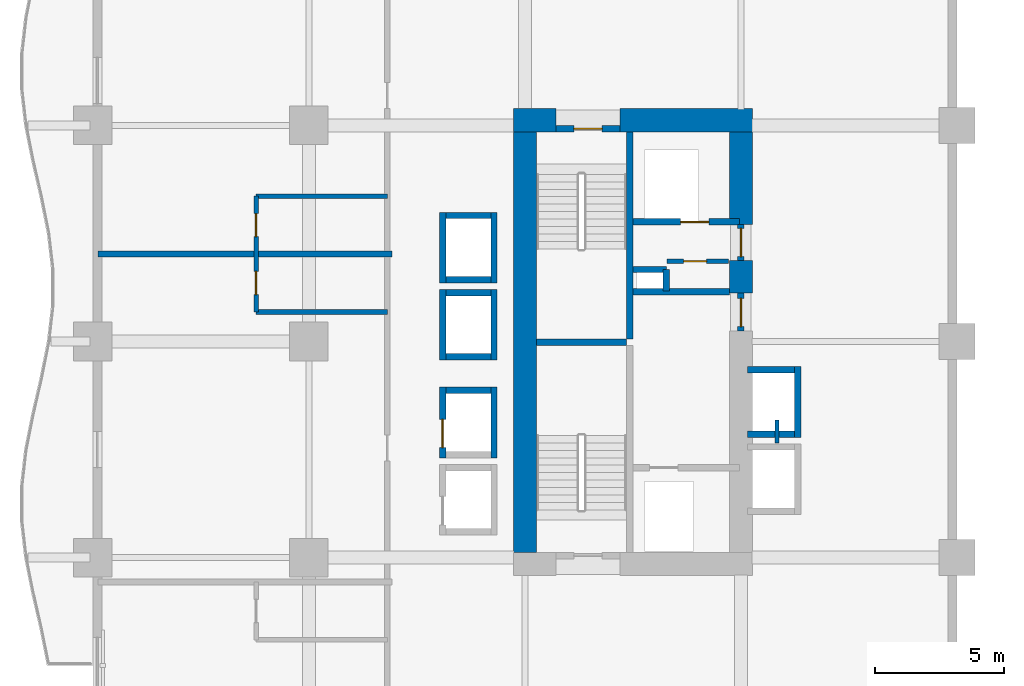
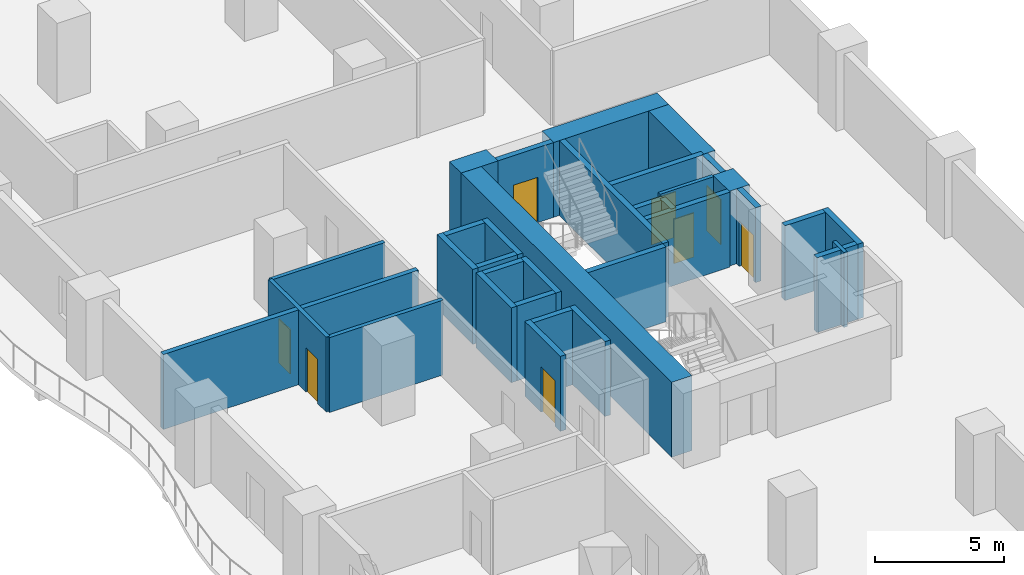
# One storey, part 10 of 20: 34 walls, 8 doors, 8 openings.
"""IFC4 building model written with IfcOpenShell, lengths in metres."""

from ifc_helpers import new_model, si_unit, direction, frame, frame_2d, origin, place, context, subcontext, project, spatial, rectangle, extrude, material, layer, layer_set, type_object, element, fill, save


model = new_model("IFC4")

# Units and contexts
model_context = context("Model", 3, precision=1e-05, world=origin(), true_north=direction((0.0, 1.0)))
body_context = subcontext(model_context, "Body", "Model", "MODEL_VIEW")
ifc_project = project(units=[si_unit("LENGTHUNIT", "METRE"), si_unit("AREAUNIT", "SQUARE_METRE"), si_unit("VOLUMEUNIT", "CUBIC_METRE"), si_unit("PLANEANGLEUNIT", "RADIAN"), si_unit("MASSUNIT", "GRAM", prefix="KILO")], contexts=[model_context])

# Site, building, storey
site_placement = place(None, origin())
site = spatial("IfcSite", under=ifc_project, at=site_placement, CompositionType="ELEMENT")
building_placement = place(site_placement, origin())
building = spatial("IfcBuilding", under=site, at=building_placement, Name="Koriwani Terraces Tower", CompositionType="ELEMENT")
storey_placement = place(building_placement, frame((0.0, 0.0, 66.199951171875)))
storey = spatial("IfcBuildingStorey", under=building, at=storey_placement, Name="L15", CompositionType="ELEMENT", Elevation=66.199951171875)

# Walls
ifc_material_1 = material(Name="Concrete C60/75", Category="concrete")
ifc_layer_1 = layer(ifc_material_1, 0.89990234375, Name="Concrete C60/75")
ifc_layer_set_1 = layer_set([ifc_layer_1], Name="Concrete C60/75")
wall_type_1 = type_object("IfcWallType", Name="WALL_CORE_RC_900", PredefinedType="SHEAR", material=ifc_layer_set_1)
wall_1_placement = place(storey_placement, frame((16.35009765625, 59.0, 0.0), z_axis=(0.0, 0.0, 1.0), x_axis=(1.0, 0.0, 0.0)))
element("IfcWall", 1, at=wall_1_placement, inside=storey, type_object=wall_type_1, Name="L15 West Split Core Shear Wall N1", PredefinedType="SHEAR", context=body_context, shape_type="SweptSolid", body=[
    extrude(rectangle(XDim=1.64990234375, YDim=0.89990234375, at=frame_2d((0.824951171875, 0.0))), origin(), (0.0, 0.0, 1.0), 3.550048828125),
])
wall_2_placement = place(storey_placement, frame((20.5, 59.0, 0.0), z_axis=(0.0, 0.0, 1.0), x_axis=(1.0, 0.0, 0.0)))
element("IfcWall", 2, at=wall_2_placement, inside=storey, type_object=wall_type_1, Name="L15 West Split Core Shear Wall N2", PredefinedType="SHEAR", context=body_context, shape_type="SweptSolid", body=[
    extrude(rectangle(XDim=5.14990234375, YDim=0.89990234375, at=frame_2d((2.574951171875, 0.0))), origin(), (0.0, 0.0, 1.0), 3.550048828125),
])
wall_3_placement = place(storey_placement, frame((16.800048828125, 42.199951171875, 0.0), z_axis=(0.0, 0.0, 1.0), x_axis=(0.0, 1.0, 0.0)))
element("IfcWall", 3, at=wall_3_placement, inside=storey, type_object=wall_type_1, Name="L15 West Split Core Shear Wall W1", PredefinedType="SHEAR", context=body_context, shape_type="SweptSolid", body=[
    extrude(rectangle(XDim=16.35009765625, YDim=0.89990234375, at=frame_2d((8.175048828125, 0.0))), origin(), (0.0, 0.0, 1.0), 3.550048828125),
])
wall_4_placement = place(storey_placement, frame((25.199951171875, 52.280029296875, 0.0), z_axis=(0.0, 0.0, 1.0), x_axis=(0.0, 1.0, 0.0)))
element("IfcWall", 4, at=wall_4_placement, inside=storey, type_object=wall_type_1, Name="L15 West Split Core Shear Wall E2", PredefinedType="SHEAR", context=body_context, shape_type="SweptSolid", body=[
    extrude(rectangle(XDim=1.27001953125, YDim=0.89990234375, at=frame_2d((0.635009765625, 0.0))), origin(), (0.0, 0.0, 1.0), 3.550048828125),
])
wall_5_placement = place(storey_placement, frame((25.199951171875, 54.949951171875, 0.0), z_axis=(0.0, 0.0, 1.0), x_axis=(0.0, 1.0, 0.0)))
element("IfcWall", 5, at=wall_5_placement, inside=storey, type_object=wall_type_1, Name="L15 West Split Core Shear Wall E3", PredefinedType="SHEAR", context=body_context, shape_type="SweptSolid", body=[
    extrude(rectangle(XDim=3.60009765625, YDim=0.89990234375, at=frame_2d((1.800048828125, 0.0))), origin(), (0.0, 0.0, 1.0), 3.550048828125),
])
ifc_material_2 = material(Name="Autoclaved Cellular Concrete Blockwork", Category="masonry")
ifc_layer_2 = layer(ifc_material_2, 0.219970703125, Name="Autoclaved Cellular Concrete Blockwork")
ifc_layer_set_2 = layer_set([ifc_layer_2], Name="Autoclaved Cellular Concrete Blockwork")
wall_type_2 = type_object("IfcWallType", Name="WALL_DEMISING_220", PredefinedType="PARTITIONING", material=ifc_layer_set_2)
wall_6_placement = place(storey_placement, frame((0.199951171875, 53.800048828125, 0.0), z_axis=(0.0, 0.0, 1.0), x_axis=(1.0, 0.0, 0.0)))
element("IfcWall", 6, at=wall_6_placement, inside=storey, type_object=wall_type_2, Name="L15 Interior Wall WDEM-L15-NW-5", PredefinedType="PARTITIONING", context=body_context, shape_type="SweptSolid", body=[
    extrude(rectangle(XDim=11.429931640625, YDim=0.219970703125, at=frame_2d((5.71484375, 0.0))), origin(), (0.0, 0.0, 1.0), 3.550048828125),
])

# Wall, openings, doors
ifc_material_3 = material(Name="Fire-Rated Acoustic Gypsum Partition", Category="masonry")
ifc_layer_3 = layer(ifc_material_3, 0.179931640625, Name="Fire-Rated Acoustic Gypsum Partition")
ifc_layer_set_3 = layer_set([ifc_layer_3], Name="Fire-Rated Acoustic Gypsum Partition")
wall_type_3 = type_object("IfcWallType", Name="WALL_PLUMBING_180", PredefinedType="PLUMBINGWALL", material=ifc_layer_set_3)
wall_7_placement = place(storey_placement, frame((6.35009765625, 51.550048828125, 0.0), z_axis=(0.0, 0.0, 1.0), x_axis=(0.0, 1.0, 0.0)))
wall_7 = element("IfcWall", 7, at=wall_7_placement, inside=storey, type_object=wall_type_3, Name="L15 Interior Wall WBTH1-L15-NW-4", PredefinedType="PLUMBINGWALL", context=body_context, shape_type="SweptSolid", body=[
    extrude(rectangle(XDim=4.5, YDim=0.179931640625, at=frame_2d((2.25, 0.0))), origin(), (0.0, 0.0, 1.0), 3.550048828125),
])
opening_1_placement = place(wall_7_placement, frame((0.675048828125, 0.0, 0.0)))
opening_1 = element("IfcOpeningElement", 8, at=opening_1_placement, cuts=wall_7, Name="Opening D-07", PredefinedType="OPENING", context=body_context, shape_type="SweptSolid", body=[
    extrude(rectangle(XDim=0.89990234375, YDim=2.10009765625, at=frame_2d((0.449951171875, 1.050048828125))), frame((0.0, 0.10009765625, 0.0), z_axis=(0.0, -1.0, 0.0), x_axis=(1.0, 0.0, 0.0)), (0.0, 0.0, 1.0), 0.199951171875),
])
opening_2_placement = place(wall_7_placement, frame((2.925048828125, 0.0, 0.0)))
opening_2 = element("IfcOpeningElement", 9, at=opening_2_placement, cuts=wall_7, Name="Opening D-07", PredefinedType="OPENING", context=body_context, shape_type="SweptSolid", body=[
    extrude(rectangle(XDim=0.89990234375, YDim=2.10009765625, at=frame_2d((0.449951171875, 1.050048828125))), frame((0.0, 0.10009765625, 0.0), z_axis=(0.0, -1.0, 0.0), x_axis=(1.0, 0.0, 0.0)), (0.0, 0.0, 1.0), 0.199951171875),
])
ifc_material_4 = material(Name="Architectural Oak Fire Door", Category="wood")
door_type_1 = type_object("IfcDoorType", Name="DOOR_BATH_INT_900X2100", OperationType="NOTDEFINED", PredefinedType="DOOR", material=ifc_material_4)
door_1_placement = place(opening_1_placement, origin())
door_1 = element("IfcDoor", 10, at=door_1_placement, inside=storey, type_object=door_type_1, Name="En-Suite Bathroom 15NW5 Door", OperationType="SINGLE_SWING_RIGHT", OverallHeight=2.10009765625, OverallWidth=0.89990234375, PredefinedType="DOOR", context=body_context, shape_type="SweptSolid", body=[
    extrude(rectangle(XDim=0.89990234375, YDim=2.10009765625, at=frame_2d((0.449951171875, 1.050048828125))), frame((0.0, 0.02490234375, 0.0), z_axis=(0.0, -1.0, 0.0), x_axis=(1.0, 0.0, 0.0)), (0.0, 0.0, 1.0), 0.050048828125),
])
fill(opening_1, door_1)
door_2_placement = place(opening_2_placement, origin())
door_2 = element("IfcDoor", 11, at=door_2_placement, inside=storey, type_object=door_type_1, Name="En-Suite Bathroom 15NW6 Door", OperationType="SINGLE_SWING_RIGHT", OverallHeight=2.10009765625, OverallWidth=0.89990234375, PredefinedType="DOOR", context=body_context, shape_type="SweptSolid", body=[
    extrude(rectangle(XDim=0.89990234375, YDim=2.10009765625, at=frame_2d((0.449951171875, 1.050048828125))), frame((0.0, 0.02490234375, 0.0), z_axis=(0.0, -1.0, 0.0), x_axis=(1.0, 0.0, 0.0)), (0.0, 0.0, 1.0), 0.050048828125),
])
fill(opening_2, door_2)

# Walls
for number, where, z_axis, x_axis, name in (
    (12, (6.35009765625, 51.550048828125, 0.0), (0.0, 0.0, 1.0), (1.0, 0.0, 0.0), "L15 Interior Wall WBTH2-L15-NW-4"),
    (13, (6.35009765625, 56.050048828125, 0.0), (0.0, 0.0, 1.0), (1.0, 0.0, 0.0), "L15 Interior Wall WBTH2-L15-NW-5"),
):
    element("IfcWall", number, at=place(storey_placement, frame(where, z_axis=z_axis, x_axis=x_axis)), inside=storey, type_object=wall_type_3, Name=name, PredefinedType="PLUMBINGWALL", context=body_context, shape_type="SweptSolid", body=[
        extrude(rectangle(XDim=5.099853515625, YDim=0.179931640625, at=frame_2d((2.5498046875, 0.0))), origin(), (0.0, 0.0, 1.0), 3.550048828125),
    ])
ifc_material_5 = material(Name="Concrete C40/50", Category="concrete")
ifc_layer_4 = layer(ifc_material_5, 0.25, Name="Concrete C40/50")
ifc_layer_set_4 = layer_set([ifc_layer_4], Name="Concrete C40/50")
wall_type_4 = type_object("IfcWallType", Name="WALL_SHAFT_RATED_250", PredefinedType="SOLIDWALL", material=ifc_layer_set_4)
wall_8_placement = place(storey_placement, frame((20.875, 50.5, 0.0), z_axis=(0.0, 0.0, 1.0), x_axis=(0.0, 1.0, 0.0)))
element("IfcWall", 14, at=wall_8_placement, inside=storey, type_object=wall_type_4, Name="L15 West Split Core Web Wall MID2", PredefinedType="SOLIDWALL", context=body_context, shape_type="SweptSolid", body=[
    extrude(rectangle(XDim=8.050048828125, YDim=0.25, at=frame_2d((4.02490234375, 0.0))), origin(), (0.0, 0.0, 1.0), 3.550048828125),
])
wall_9_placement = place(storey_placement, frame((17.25, 50.375, 0.0), z_axis=(0.0, 0.0, 1.0), x_axis=(1.0, 0.0, 0.0)))
element("IfcWall", 15, at=wall_9_placement, inside=storey, type_object=wall_type_4, Name="L15 West Split Core Stair Dividing Wall", PredefinedType="SOLIDWALL", context=body_context, shape_type="SweptSolid", body=[
    extrude(rectangle(XDim=3.5, YDim=0.25, at=frame_2d((1.75, 0.0))), origin(), (0.0, 0.0, 1.0), 3.550048828125),
])

# Wall, opening, door
wall_10_placement = place(storey_placement, frame((18.0, 58.675048828125, 0.0), z_axis=(0.0, 0.0, 1.0), x_axis=(1.0, 0.0, 0.0)))
wall_10 = element("IfcWall", 16, at=wall_10_placement, inside=storey, type_object=wall_type_4, Name="L15 Interior Wall WIN-CW-L15-STN", PredefinedType="SOLIDWALL", context=body_context, shape_type="SweptSolid", body=[
    extrude(rectangle(XDim=2.5, YDim=0.25, at=frame_2d((1.25, 0.0))), origin(), (0.0, 0.0, 1.0), 3.550048828125),
])
opening_3_placement = place(wall_10_placement, frame((0.699951171875, 0.0, 0.0)))
opening_3 = element("IfcOpeningElement", 17, at=opening_3_placement, cuts=wall_10, Name="Opening D-03", PredefinedType="OPENING", context=body_context, shape_type="SweptSolid", body=[
    extrude(rectangle(XDim=1.10009765625, YDim=2.14990234375, at=frame_2d((0.550048828125, 1.074951171875))), frame((0.0, 0.135009765625, 0.0), z_axis=(0.0, -1.0, 0.0), x_axis=(1.0, 0.0, 0.0)), (0.0, 0.0, 1.0), 0.27001953125),
])
ifc_material_6 = material(Name="Steel ASTM A572 Grade 50", Category="steel")
door_type_2 = type_object("IfcDoorType", Name="DOOR_STAIR_FIRE_1100X2150", OperationType="NOTDEFINED", PredefinedType="DOOR", material=ifc_material_6)
door_3_placement = place(opening_3_placement, origin())
door_3 = element("IfcDoor", 18, at=door_3_placement, inside=storey, type_object=door_type_2, Name="L15 Exit Stair ST-W2 Door", OperationType="SINGLE_SWING_RIGHT", OverallHeight=2.14990234375, OverallWidth=1.10009765625, PredefinedType="DOOR", context=body_context, shape_type="SweptSolid", body=[
    extrude(rectangle(XDim=1.10009765625, YDim=2.14990234375, at=frame_2d((0.550048828125, 1.074951171875))), frame((0.0, 0.02490234375, 0.0), z_axis=(0.0, -1.0, 0.0), x_axis=(1.0, 0.0, 0.0)), (0.0, 0.0, 1.0), 0.050048828125),
])
fill(opening_3, door_3)

wall_11_placement = place(storey_placement, frame((25.199951171875, 50.800048828125, 0.0), z_axis=(0.0, 0.0, 1.0), x_axis=(0.0, 1.0, 0.0)))
wall_11 = element("IfcWall", 19, at=wall_11_placement, inside=storey, type_object=wall_type_4, Name="L15 Interior Wall WIN-CW-L15-EP", PredefinedType="SOLIDWALL", context=body_context, shape_type="SweptSolid", body=[
    extrude(rectangle(XDim=1.47998046875, YDim=0.25, at=frame_2d((0.739990234375, 0.0))), origin(), (0.0, 0.0, 1.0), 3.550048828125),
])
opening_4_placement = place(wall_11_placement, frame((0.179931640625, 0.0, 0.0)))
opening_4 = element("IfcOpeningElement", 20, at=opening_4_placement, cuts=wall_11, Name="Opening D-03", PredefinedType="OPENING", context=body_context, shape_type="SweptSolid", body=[
    extrude(rectangle(XDim=1.10009765625, YDim=2.14990234375, at=frame_2d((0.550048828125, 1.074951171875))), frame((0.0, 0.135009765625, 0.0), z_axis=(0.0, -1.0, 0.0), x_axis=(1.0, 0.0, 0.0)), (0.0, 0.0, 1.0), 0.27001953125),
])
door_4_placement = place(opening_4_placement, origin())
door_4 = element("IfcDoor", 21, at=door_4_placement, inside=storey, type_object=door_type_2, Name="L15 West Firefighting Lobby Door", OperationType="SINGLE_SWING_LEFT", OverallHeight=2.14990234375, OverallWidth=1.10009765625, PredefinedType="DOOR", context=body_context, shape_type="SweptSolid", body=[
    extrude(rectangle(XDim=1.10009765625, YDim=2.14990234375, at=frame_2d((0.550048828125, 1.074951171875))), frame((0.0, 0.02490234375, 0.0), z_axis=(0.0, -1.0, 0.0), x_axis=(1.0, 0.0, 0.0)), (0.0, 0.0, 1.0), 0.050048828125),
])
fill(opening_4, door_4)

# Wall
wall_12_placement = place(storey_placement, frame((21.0, 52.340087890625, 0.0), z_axis=(0.0, 0.0, 1.0), x_axis=(1.0, 0.0, 0.0)))
element("IfcWall", 22, at=wall_12_placement, inside=storey, type_object=wall_type_4, Name="L15 Interior Wall WIN-CW-L15-FFN", PredefinedType="SOLIDWALL", context=body_context, shape_type="SweptSolid", body=[
    extrude(rectangle(XDim=3.75, YDim=0.25, at=frame_2d((1.875, 0.0))), origin(), (0.0, 0.0, 1.0), 3.550048828125),
])

# Wall, opening, door
wall_13_placement = place(storey_placement, frame((21.0, 55.050048828125, 0.0), z_axis=(0.0, 0.0, 1.0), x_axis=(1.0, 0.0, 0.0)))
wall_13 = element("IfcWall", 23, at=wall_13_placement, inside=storey, type_object=wall_type_4, Name="L15 Interior Wall WIN-CW-L15-SE", PredefinedType="SOLIDWALL", context=body_context, shape_type="SweptSolid", body=[
    extrude(rectangle(XDim=4.14990234375, YDim=0.25, at=frame_2d((2.074951171875, 0.0))), origin(), (0.0, 0.0, 1.0), 3.550048828125),
])
opening_5_placement = place(wall_13_placement, frame((1.85009765625, 0.0, 0.0)))
opening_5 = element("IfcOpeningElement", 24, at=opening_5_placement, cuts=wall_13, Name="Opening LD-01", PredefinedType="OPENING", context=body_context, shape_type="SweptSolid", body=[
    extrude(rectangle(XDim=1.10009765625, YDim=2.14990234375, at=frame_2d((0.550048828125, 1.074951171875))), frame((0.0, 0.135009765625, 0.0), z_axis=(0.0, -1.0, 0.0), x_axis=(1.0, 0.0, 0.0)), (0.0, 0.0, 1.0), 0.27001953125),
])
door_type_3 = type_object("IfcDoorType", Name="DOOR_LIFT_LANDING_1100X2200", OperationType="NOTDEFINED", PredefinedType="DOOR", material=ifc_material_6)
door_5_placement = place(opening_5_placement, origin())
door_5 = element("IfcDoor", 25, at=door_5_placement, inside=storey, type_object=door_type_3, Name="L15 Goods Lift SE-01 Landing Door", OperationType="SLIDING_TO_LEFT", OverallHeight=2.14990234375, OverallWidth=1.10009765625, PredefinedType="DOOR", context=body_context, shape_type="SweptSolid", body=[
    extrude(rectangle(XDim=1.10009765625, YDim=2.14990234375, at=frame_2d((0.550048828125, 1.074951171875))), frame((0.0, 0.02490234375, 0.0), z_axis=(0.0, -1.0, 0.0), x_axis=(1.0, 0.0, 0.0)), (0.0, 0.0, 1.0), 0.050048828125),
])
fill(opening_5, door_5)

wall_14_placement = place(storey_placement, frame((25.199951171875, 53.550048828125, 0.0), z_axis=(0.0, 0.0, 1.0), x_axis=(0.0, 1.0, 0.0)))
wall_14 = element("IfcWall", 26, at=wall_14_placement, inside=storey, type_object=wall_type_4, Name="L15 Interior Wall WIN-CW-L15-EP2", PredefinedType="SOLIDWALL", context=body_context, shape_type="SweptSolid", body=[
    extrude(rectangle(XDim=1.39990234375, YDim=0.25, at=frame_2d((0.699951171875, 0.0))), origin(), (0.0, 0.0, 1.0), 3.550048828125),
])
opening_6_placement = place(wall_14_placement, frame((0.14990234375, 0.0, 0.0)))
opening_6 = element("IfcOpeningElement", 27, at=opening_6_placement, cuts=wall_14, Name="Opening D-03", PredefinedType="OPENING", context=body_context, shape_type="SweptSolid", body=[
    extrude(rectangle(XDim=1.10009765625, YDim=2.14990234375, at=frame_2d((0.550048828125, 1.074951171875))), frame((0.0, 0.135009765625, 0.0), z_axis=(0.0, -1.0, 0.0), x_axis=(1.0, 0.0, 0.0)), (0.0, 0.0, 1.0), 0.27001953125),
])
door_6_placement = place(opening_6_placement, origin())
door_6 = element("IfcDoor", 28, at=door_6_placement, inside=storey, type_object=door_type_2, Name="L15 West Goods Lift Lobby Door", OperationType="SINGLE_SWING_RIGHT", OverallHeight=2.14990234375, OverallWidth=1.10009765625, PredefinedType="DOOR", context=body_context, shape_type="SweptSolid", body=[
    extrude(rectangle(XDim=1.10009765625, YDim=2.14990234375, at=frame_2d((0.550048828125, 1.074951171875))), frame((0.0, 0.02490234375, 0.0), z_axis=(0.0, -1.0, 0.0), x_axis=(1.0, 0.0, 0.0)), (0.0, 0.0, 1.0), 0.050048828125),
])
fill(opening_6, door_6)

# Walls
wall_15_placement = place(storey_placement, frame((21.0, 53.199951171875, 0.0), z_axis=(0.0, 0.0, 1.0), x_axis=(1.0, 0.0, 0.0)))
element("IfcWall", 29, at=wall_15_placement, inside=storey, type_object=wall_type_4, Name="L15 Interior Wall WIN-CW-L15-RS1", PredefinedType="SOLIDWALL", context=body_context, shape_type="SweptSolid", body=[
    extrude(rectangle(XDim=1.300048828125, YDim=0.25, at=frame_2d((0.64990234375, 0.0))), origin(), (0.0, 0.0, 1.0), 3.550048828125),
])
wall_16_placement = place(storey_placement, frame((22.300048828125, 52.360107421875, 0.0), z_axis=(0.0, 0.0, 1.0), x_axis=(0.0, 1.0, 0.0)))
element("IfcWall", 30, at=wall_16_placement, inside=storey, type_object=wall_type_4, Name="L15 Interior Wall WIN-CW-L15-RS2", PredefinedType="SOLIDWALL", context=body_context, shape_type="SweptSolid", body=[
    extrude(rectangle(XDim=0.83984375, YDim=0.25, at=frame_2d((0.419921875, 0.0))), origin(), (0.0, 0.0, 1.0), 3.550048828125),
])

# Wall, opening, door
wall_17_placement = place(storey_placement, frame((13.60009765625, 45.875, 0.0), z_axis=(0.0, 0.0, 1.0), x_axis=(0.0, 1.0, 0.0)))
wall_17 = element("IfcWall", 31, at=wall_17_placement, inside=storey, type_object=wall_type_4, Name="L15 Interior Wall WIN-LF-PE-L2-L15-F", PredefinedType="SOLIDWALL", context=body_context, shape_type="SweptSolid", body=[
    extrude(rectangle(XDim=2.75, YDim=0.25, at=frame_2d((1.375, 0.0))), origin(), (0.0, 0.0, 1.0), 3.550048828125),
])
opening_7_placement = place(wall_17_placement, frame((0.39990234375, 0.0, 0.0)))
opening_7 = element("IfcOpeningElement", 32, at=opening_7_placement, cuts=wall_17, Name="Opening LD-01", PredefinedType="OPENING", context=body_context, shape_type="SweptSolid", body=[
    extrude(rectangle(XDim=1.10009765625, YDim=2.14990234375, at=frame_2d((0.550048828125, 1.074951171875))), frame((0.0, 0.135009765625, 0.0), z_axis=(0.0, -1.0, 0.0), x_axis=(1.0, 0.0, 0.0)), (0.0, 0.0, 1.0), 0.27001953125),
])
door_7_placement = place(opening_7_placement, origin())
door_7 = element("IfcDoor", 33, at=door_7_placement, inside=storey, type_object=door_type_3, Name="L15 Passenger Lift PE-L2 Landing Door", OperationType="SLIDING_TO_LEFT", OverallHeight=2.14990234375, OverallWidth=1.10009765625, PredefinedType="DOOR", context=body_context, shape_type="SweptSolid", body=[
    extrude(rectangle(XDim=1.10009765625, YDim=2.14990234375, at=frame_2d((0.550048828125, 1.074951171875))), frame((0.0, 0.02490234375, 0.0), z_axis=(0.0, -1.0, 0.0), x_axis=(1.0, 0.0, 0.0)), (0.0, 0.0, 1.0), 0.050048828125),
])
fill(opening_7, door_7)

# Walls
wall_18_placement = place(storey_placement, frame((15.60009765625, 45.875, 0.0), z_axis=(0.0, 0.0, 1.0), x_axis=(0.0, 1.0, 0.0)))
element("IfcWall", 34, at=wall_18_placement, inside=storey, type_object=wall_type_4, Name="L15 Interior Wall WIN-LF-PE-L2-L15-B", PredefinedType="SOLIDWALL", context=body_context, shape_type="SweptSolid", body=[
    extrude(rectangle(XDim=2.75, YDim=0.25, at=frame_2d((1.375, 0.0))), origin(), (0.0, 0.0, 1.0), 3.550048828125),
])
wall_19_placement = place(storey_placement, frame((13.72509765625, 48.5, 0.0), z_axis=(0.0, 0.0, 1.0), x_axis=(1.0, 0.0, 0.0)))
element("IfcWall", 35, at=wall_19_placement, inside=storey, type_object=wall_type_4, Name="L15 Interior Wall WIN-LF-PE-L2-L15-N", PredefinedType="SOLIDWALL", context=body_context, shape_type="SweptSolid", body=[
    extrude(rectangle(XDim=1.75, YDim=0.25, at=frame_2d((0.875, 0.0))), origin(), (0.0, 0.0, 1.0), 3.550048828125),
])
for number, where, z_axis, x_axis, name in (
    (36, (13.60009765625, 49.675048828125, 0.0), (0.0, 0.0, 1.0), (0.0, 1.0, 0.0), "L15 Interior Wall WIN-LF-PE-M1-L15-F"),
    (37, (15.60009765625, 49.675048828125, 0.0), (0.0, 0.0, 1.0), (0.0, 1.0, 0.0), "L15 Interior Wall WIN-LF-PE-M1-L15-B"),
):
    element("IfcWall", number, at=place(storey_placement, frame(where, z_axis=z_axis, x_axis=x_axis)), inside=storey, type_object=wall_type_4, Name=name, PredefinedType="SOLIDWALL", context=body_context, shape_type="SweptSolid", body=[
        extrude(rectangle(XDim=2.75, YDim=0.25, at=frame_2d((1.375, 0.0))), origin(), (0.0, 0.0, 1.0), 3.550048828125),
    ])
for number, where, z_axis, x_axis, name in (
    (38, (13.72509765625, 49.800048828125, 0.0), (0.0, 0.0, 1.0), (1.0, 0.0, 0.0), "L15 Interior Wall WIN-LF-PE-M1-L15-S"),
    (39, (13.72509765625, 52.300048828125, 0.0), (0.0, 0.0, 1.0), (1.0, 0.0, 0.0), "L15 Interior Wall WIN-LF-PE-M1-L15-N"),
):
    element("IfcWall", number, at=place(storey_placement, frame(where, z_axis=z_axis, x_axis=x_axis)), inside=storey, type_object=wall_type_4, Name=name, PredefinedType="SOLIDWALL", context=body_context, shape_type="SweptSolid", body=[
        extrude(rectangle(XDim=1.75, YDim=0.25, at=frame_2d((0.875, 0.0))), origin(), (0.0, 0.0, 1.0), 3.550048828125),
    ])
for number, where, z_axis, x_axis, name in (
    (40, (13.60009765625, 52.675048828125, 0.0), (0.0, 0.0, 1.0), (0.0, 1.0, 0.0), "L15 Interior Wall WIN-LF-PE-M2-L15-F"),
    (41, (15.60009765625, 52.675048828125, 0.0), (0.0, 0.0, 1.0), (0.0, 1.0, 0.0), "L15 Interior Wall WIN-LF-PE-M2-L15-B"),
):
    element("IfcWall", number, at=place(storey_placement, frame(where, z_axis=z_axis, x_axis=x_axis)), inside=storey, type_object=wall_type_4, Name=name, PredefinedType="SOLIDWALL", context=body_context, shape_type="SweptSolid", body=[
        extrude(rectangle(XDim=2.75, YDim=0.25, at=frame_2d((1.375, 0.0))), origin(), (0.0, 0.0, 1.0), 3.550048828125),
    ])
for number, where, z_axis, x_axis, name in (
    (42, (13.72509765625, 52.800048828125, 0.0), (0.0, 0.0, 1.0), (1.0, 0.0, 0.0), "L15 Interior Wall WIN-LF-PE-M2-L15-S"),
    (43, (13.72509765625, 55.300048828125, 0.0), (0.0, 0.0, 1.0), (1.0, 0.0, 0.0), "L15 Interior Wall WIN-LF-PE-M2-L15-N"),
):
    element("IfcWall", number, at=place(storey_placement, frame(where, z_axis=z_axis, x_axis=x_axis)), inside=storey, type_object=wall_type_4, Name=name, PredefinedType="SOLIDWALL", context=body_context, shape_type="SweptSolid", body=[
        extrude(rectangle(XDim=1.75, YDim=0.25, at=frame_2d((0.875, 0.0))), origin(), (0.0, 0.0, 1.0), 3.550048828125),
    ])
wall_20_placement = place(storey_placement, frame((27.39990234375, 46.675048828125, 0.0), z_axis=(0.0, 0.0, 1.0), x_axis=(0.0, 1.0, 0.0)))
element("IfcWall", 44, at=wall_20_placement, inside=storey, type_object=wall_type_4, Name="L15 Interior Wall WIN-LF-PE-H2-L15-F", PredefinedType="SOLIDWALL", context=body_context, shape_type="SweptSolid", body=[
    extrude(rectangle(XDim=2.75, YDim=0.25, at=frame_2d((1.375, 0.0))), origin(), (0.0, 0.0, 1.0), 3.550048828125),
])
for number, where, z_axis, x_axis, name in (
    (45, (25.449951171875, 46.800048828125, 0.0), (0.0, 0.0, 1.0), (1.0, 0.0, 0.0), "L15 Interior Wall WIN-LF-PE-H2-L15-S"),
    (46, (25.449951171875, 49.300048828125, 0.0), (0.0, 0.0, 1.0), (1.0, 0.0, 0.0), "L15 Interior Wall WIN-LF-PE-H2-L15-N"),
):
    element("IfcWall", number, at=place(storey_placement, frame(where, z_axis=z_axis, x_axis=x_axis)), inside=storey, type_object=wall_type_4, Name=name, PredefinedType="SOLIDWALL", context=body_context, shape_type="SweptSolid", body=[
        extrude(rectangle(XDim=1.824951171875, YDim=0.25, at=frame_2d((0.91259765625, 0.0))), origin(), (0.0, 0.0, 1.0), 3.550048828125),
    ])

# Wall, opening, door
ifc_layer_5 = layer(ifc_material_3, 0.159912109375, Name="Fire-Rated Acoustic Gypsum Partition")
ifc_layer_set_5 = layer_set([ifc_layer_5], Name="Fire-Rated Acoustic Gypsum Partition")
wall_type_5 = type_object("IfcWallType", Name="WALL_SUITE_160", PredefinedType="PARTITIONING", material=ifc_layer_set_5)
wall_21_placement = place(storey_placement, frame((22.320068359375, 53.52001953125, 0.0), z_axis=(0.0, 0.0, 1.0), x_axis=(1.0, 0.0, 0.0)))
wall_21 = element("IfcWall", 47, at=wall_21_placement, inside=storey, type_object=wall_type_5, Name="L15 Interior Wall WIN-CW-L15-SV0", PredefinedType="PARTITIONING", context=body_context, shape_type="SweptSolid", body=[
    extrude(rectangle(XDim=2.39990234375, YDim=0.159912109375, at=frame_2d((1.199951171875, 0.0))), origin(), (0.0, 0.0, 1.0), 3.550048828125),
])
opening_8_placement = place(wall_21_placement, frame((0.64990234375, 0.0, 0.0)))
opening_8 = element("IfcOpeningElement", 48, at=opening_8_placement, cuts=wall_21, Name="Opening D-07", PredefinedType="OPENING", context=body_context, shape_type="SweptSolid", body=[
    extrude(rectangle(XDim=0.89990234375, YDim=2.10009765625, at=frame_2d((0.449951171875, 1.050048828125))), frame((0.0, 0.08984375, 0.0), z_axis=(0.0, -1.0, 0.0), x_axis=(1.0, 0.0, 0.0)), (0.0, 0.0, 1.0), 0.179931640625),
])
door_8_placement = place(opening_8_placement, origin())
door_8 = element("IfcDoor", 49, at=door_8_placement, inside=storey, type_object=door_type_1, Name="L15 West Electrical Switch Room Door", OperationType="SINGLE_SWING_LEFT", OverallHeight=2.10009765625, OverallWidth=0.89990234375, PredefinedType="DOOR", context=body_context, shape_type="SweptSolid", body=[
    extrude(rectangle(XDim=0.89990234375, YDim=2.10009765625, at=frame_2d((0.449951171875, 1.050048828125))), frame((0.0, 0.02490234375, 0.0), z_axis=(0.0, -1.0, 0.0), x_axis=(1.0, 0.0, 0.0)), (0.0, 0.0, 1.0), 0.050048828125),
])
fill(opening_8, door_8)

# Wall
wall_22_placement = place(storey_placement, frame((26.60009765625, 46.4599609375, 0.0), z_axis=(0.0, 0.0, 1.0), x_axis=(0.0, 1.0, 0.0)))
element("IfcWall", 50, at=wall_22_placement, inside=storey, type_object=wall_type_5, Name="L15 Interior Wall WIN-LF-PEH12-MID-L15", PredefinedType="PARTITIONING", context=body_context, shape_type="SweptSolid", body=[
    extrude(rectangle(XDim=0.880126953125, YDim=0.159912109375, at=frame_2d((0.43994140625, 0.0))), origin(), (0.0, 0.0, 1.0), 3.550048828125),
])

save(model, "model.ifc")
